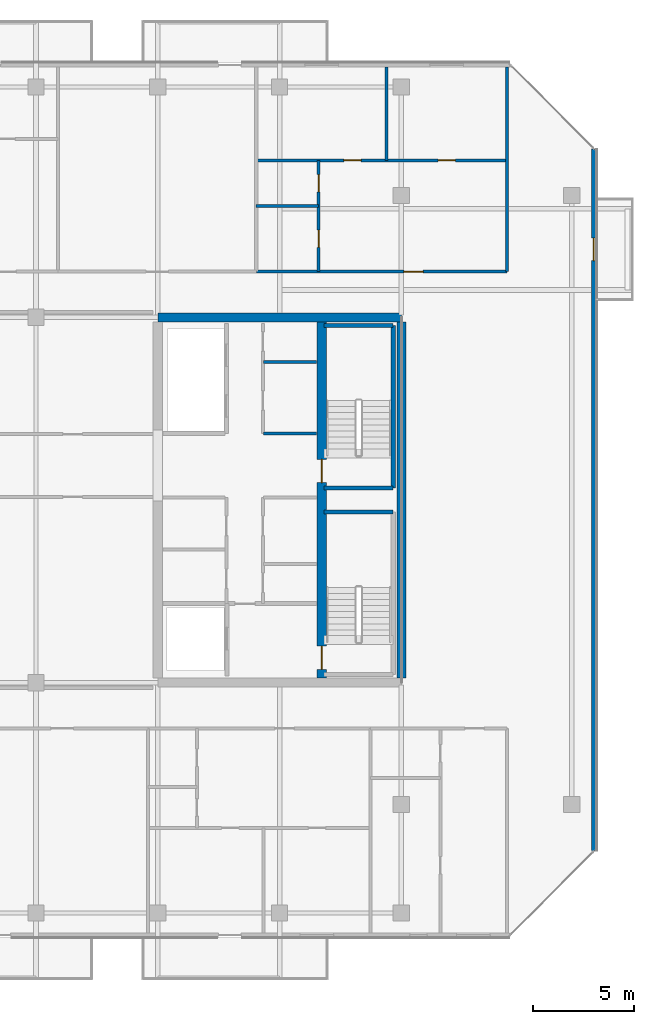
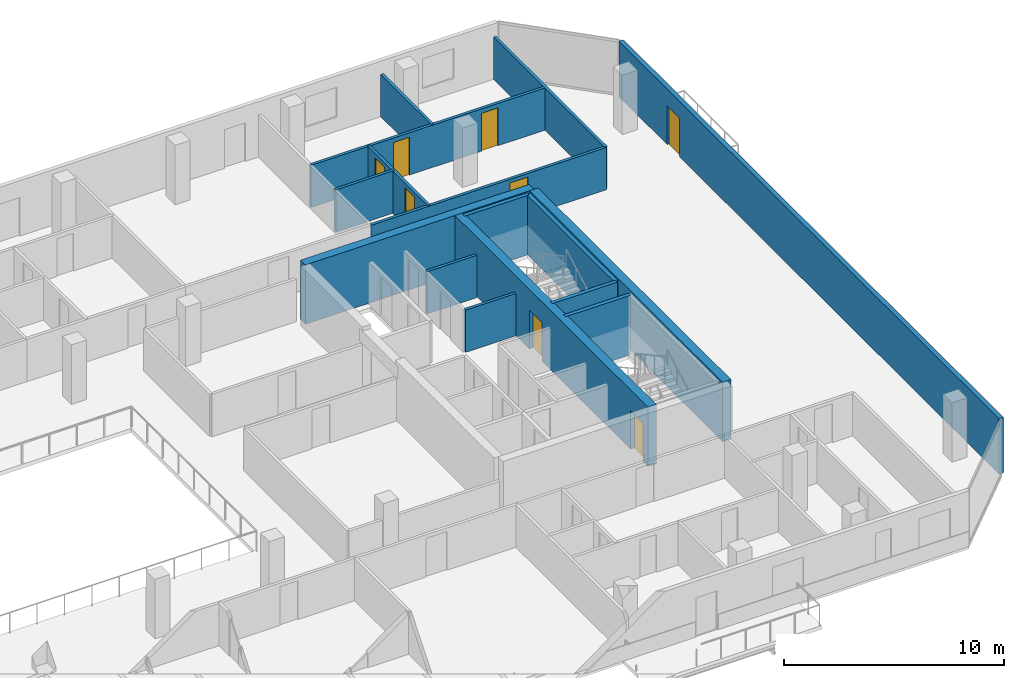
# One storey, part 23 of 28: 16 walls, 8 doors, 8 openings.
"""IFC4 building model written with IfcOpenShell, lengths in metres."""

from ifc_helpers import new_model, si_unit, direction, frame, frame_2d, origin, place, context, subcontext, project, spatial, rectangle, extrude, material, layer, layer_set, type_object, element, fill, save


model = new_model("IFC4")

# Units and contexts
model_context = context("Model", 3, precision=1e-05, world=origin(), true_north=direction((0.0, 1.0)))
body_context = subcontext(model_context, "Body", "Model", "MODEL_VIEW")
ifc_project = project(units=[si_unit("LENGTHUNIT", "METRE"), si_unit("AREAUNIT", "SQUARE_METRE"), si_unit("VOLUMEUNIT", "CUBIC_METRE"), si_unit("PLANEANGLEUNIT", "RADIAN"), si_unit("MASSUNIT", "GRAM", prefix="KILO")], contexts=[model_context])

# Site, building, storey
site_placement = place(None, origin())
site = spatial("IfcSite", under=ifc_project, at=site_placement, CompositionType="ELEMENT")
building_placement = place(site_placement, origin())
building = spatial("IfcBuilding", under=site, at=building_placement, Name="Tanjung Sevakor Pilgrim Tower", CompositionType="ELEMENT")
storey_placement = place(building_placement, frame((0.0, 0.0, 185.1298828125)))
storey = spatial("IfcBuildingStorey", under=building, at=storey_placement, Name="L51", CompositionType="ELEMENT", Elevation=185.1298828125)

# Walls
ifc_material_1 = material(Name="Concrete C60/75", Category="concrete")
ifc_layer_1 = layer(ifc_material_1, 0.449951171875)
ifc_layer_set_1 = layer_set([ifc_layer_1], Name="WALL-CW-450")
wall_type_1 = type_object("IfcWallType", Name="WALL-CW-450", PredefinedType="SHEAR", material=ifc_layer_set_1)
wall_1_placement = place(storey_placement, frame((90.0, 42.60009765625, 0.0), z_axis=(0.0, 0.0, 1.0), x_axis=(-1.0, 0.0, 0.0)))
element("IfcWall", 1, at=wall_1_placement, inside=storey, type_object=wall_type_1, Name="L51 E Core North Shear Wall", PredefinedType="SHEAR", context=body_context, shape_type="SweptSolid", body=[
    extrude(rectangle(XDim=12.0, YDim=0.449951171875, at=frame_2d((6.0, 0.0))), origin(), (0.0, 0.0, 1.0), 3.300048828125),
])
wall_2_placement = place(storey_placement, frame((90.0, 24.824951171875, 0.0), z_axis=(0.0, 0.0, 1.0), x_axis=(0.0, 1.0, 0.0)))
element("IfcWall", 2, at=wall_2_placement, inside=storey, type_object=wall_type_1, Name="L51 E Core Outer Shear Wall", PredefinedType="SHEAR", context=body_context, shape_type="SweptSolid", body=[
    extrude(rectangle(XDim=17.550048828125, YDim=0.449951171875, at=frame_2d((8.77490234375, 0.0))), origin(), (0.0, 0.0, 1.0), 3.300048828125),
])

# Wall, openings, doors
wall_3_placement = place(storey_placement, frame((86.074951171875, 24.824951171875, 0.0), z_axis=(0.0, 0.0, 1.0), x_axis=(0.0, 1.0, 0.0)))
wall_3 = element("IfcWall", 3, at=wall_3_placement, inside=storey, type_object=wall_type_1, Name="L51 E Core Stair Spine Wall", PredefinedType="SHEAR", context=body_context, shape_type="SweptSolid", body=[
    extrude(rectangle(XDim=17.550048828125, YDim=0.449951171875, at=frame_2d((8.77490234375, 0.0))), origin(), (0.0, 0.0, 1.0), 3.300048828125),
])
opening_1_placement = place(wall_3_placement, frame((0.425048828125, 0.0, 0.0)))
opening_1 = element("IfcOpeningElement", 4, at=opening_1_placement, cuts=wall_3, Name="Opening ID-ST1", PredefinedType="OPENING", context=body_context, shape_type="SweptSolid", body=[
    extrude(rectangle(XDim=1.14990234375, YDim=2.14990234375, at=frame_2d((0.574951171875, 1.074951171875))), frame((0.0, 0.23486328125, 0.0), z_axis=(0.0, -1.0, 0.0), x_axis=(1.0, 0.0, 0.0)), (0.0, 0.0, 1.0), 0.469970703125),
])
opening_2_placement = place(wall_3_placement, frame((9.625, 0.0, 0.0)))
opening_2 = element("IfcOpeningElement", 5, at=opening_2_placement, cuts=wall_3, Name="Opening ID-ST1", PredefinedType="OPENING", context=body_context, shape_type="SweptSolid", body=[
    extrude(rectangle(XDim=1.14990234375, YDim=2.14990234375, at=frame_2d((0.574951171875, 1.074951171875))), frame((0.0, 0.23486328125, 0.0), z_axis=(0.0, -1.0, 0.0), x_axis=(1.0, 0.0, 0.0)), (0.0, 0.0, 1.0), 0.469970703125),
])
ifc_material_2 = material(Name="Fire-Rated Steel S355J2", Category="steel")
door_type_1 = type_object("IfcDoorType", Name="DT-FIRE-1150", OperationType="NOTDEFINED", PredefinedType="DOOR", material=ifc_material_2)
door_1_placement = place(opening_1_placement, origin())
door_1 = element("IfcDoor", 6, at=door_1_placement, inside=storey, type_object=door_type_1, Name="L51 TS-E1 Stair Fire Door", OperationType="SINGLE_SWING_LEFT", OverallHeight=2.14990234375, OverallWidth=1.14990234375, PredefinedType="DOOR", context=body_context, shape_type="SweptSolid", body=[
    extrude(rectangle(XDim=1.14990234375, YDim=2.14990234375, at=frame_2d((0.574951171875, 1.074951171875))), frame((0.0, 0.02490234375, 0.0), z_axis=(0.0, -1.0, 0.0), x_axis=(1.0, 0.0, 0.0)), (0.0, 0.0, 1.0), 0.050048828125),
])
fill(opening_1, door_1)
door_2_placement = place(opening_2_placement, origin())
door_2 = element("IfcDoor", 7, at=door_2_placement, inside=storey, type_object=door_type_1, Name="L51 TS-E2 Stair Fire Door", OperationType="SINGLE_SWING_RIGHT", OverallHeight=2.14990234375, OverallWidth=1.14990234375, PredefinedType="DOOR", context=body_context, shape_type="SweptSolid", body=[
    extrude(rectangle(XDim=1.14990234375, YDim=2.14990234375, at=frame_2d((0.574951171875, 1.074951171875))), frame((0.0, 0.02490234375, 0.0), z_axis=(0.0, -1.0, 0.0), x_axis=(1.0, 0.0, 0.0)), (0.0, 0.0, 1.0), 0.050048828125),
])
fill(opening_2, door_2)

# Walls
ifc_material_3 = material(Name="Concrete C40/50", Category="concrete")
ifc_layer_2 = layer(ifc_material_3, 0.14990234375)
ifc_layer_set_2 = layer_set([ifc_layer_2], Name="WT-COMP-150")
wall_type_2 = type_object("IfcWallType", Name="WT-COMP-150", PredefinedType="SOLIDWALL", material=ifc_layer_set_2)
for number, where, z_axis, x_axis, name in (
    (8, (83.199951171875, 36.8798828125, 0.0), (0.0, 0.0, 1.0), (1.0, 0.0, 0.0), "L51 Partition IW-L51-022"),
    (9, (83.199951171875, 40.389892578125, 0.0), (0.0, 0.0, 1.0), (1.0, 0.0, 0.0), "L51 Partition IW-L51-023"),
):
    element("IfcWall", number, at=place(storey_placement, frame(where, z_axis=z_axis, x_axis=x_axis)), inside=storey, type_object=wall_type_2, Name=name, PredefinedType="SOLIDWALL", context=body_context, shape_type="SweptSolid", body=[
        extrude(rectangle(XDim=2.630126953125, YDim=0.14990234375, at=frame_2d((1.31494140625, 0.0))), origin(), (0.0, 0.0, 1.0), 2.35009765625),
    ])
wall_4_placement = place(storey_placement, frame((95.199951171875, 44.85009765625, 0.0), z_axis=(0.0, 0.0, 1.0), x_axis=(0.0, 1.0, 0.0)))
element("IfcWall", 10, at=wall_4_placement, inside=storey, type_object=wall_type_2, Name="L51 Partition IW-L51-085", PredefinedType="SOLIDWALL", context=body_context, shape_type="SweptSolid", body=[
    extrude(rectangle(XDim=10.079833984375, YDim=0.14990234375, at=frame_2d((5.0400390625, 0.0))), origin(), (0.0, 0.0, 1.0), 2.35009765625),
])

# Wall, opening, door
wall_5_placement = place(storey_placement, frame((82.850341796875, 44.85009765625, 0.0), z_axis=(0.0, 0.0, 1.0), x_axis=(1.0, 0.0, 0.0)))
wall_5 = element("IfcWall", 11, at=wall_5_placement, inside=storey, type_object=wall_type_2, Name="L51 Partition IW-L51-103", PredefinedType="SOLIDWALL", context=body_context, shape_type="SweptSolid", body=[
    extrude(rectangle(XDim=12.349609375, YDim=0.14990234375, at=frame_2d((6.1748046875, 0.0))), origin(), (0.0, 0.0, 1.0), 2.35009765625),
])
opening_3_placement = place(wall_5_placement, frame((7.274658203125, 0.0, 0.0)))
opening_3 = element("IfcOpeningElement", 12, at=opening_3_placement, cuts=wall_5, Name="Opening ID-FD2", PredefinedType="OPENING", context=body_context, shape_type="SweptSolid", body=[
    extrude(rectangle(XDim=0.949951171875, YDim=2.14990234375, at=frame_2d((0.47509765625, 1.074951171875))), frame((0.0, 0.0849609375, 0.0), z_axis=(0.0, -1.0, 0.0), x_axis=(1.0, 0.0, 0.0)), (0.0, 0.0, 1.0), 0.169921875),
])
ifc_material_4 = material(Name="Fire-Rated Timber", Category="wood")
door_type_2 = type_object("IfcDoorType", Name="DT-FIRE-950", OperationType="NOTDEFINED", PredefinedType="DOOR", material=ifc_material_4)
door_3_placement = place(opening_3_placement, origin())
door_3 = element("IfcDoor", 13, at=door_3_placement, inside=storey, type_object=door_type_2, Name="Suite Entrance", OperationType="SINGLE_SWING_RIGHT", OverallHeight=2.14990234375, OverallWidth=0.949951171875, PredefinedType="DOOR", context=body_context, shape_type="SweptSolid", body=[
    extrude(rectangle(XDim=0.949951171875, YDim=2.14990234375, at=frame_2d((0.47509765625, 1.074951171875))), frame((0.0, 0.02490234375, 0.0), z_axis=(0.0, -1.0, 0.0), x_axis=(1.0, 0.0, 0.0)), (0.0, 0.0, 1.0), 0.050048828125),
])
fill(opening_3, door_3)

ifc_material_5 = material(Name="Precast concrete C45/55", Category="concrete")
ifc_layer_3 = layer(ifc_material_5, 0.219970703125)
ifc_layer_set_3 = layer_set([ifc_layer_3], Name="WT-EW-STN4")
wall_type_3 = type_object("IfcWallType", Name="WT-EW-STN4", PredefinedType="SOLIDWALL", material=ifc_layer_set_3)
wall_6_placement = place(storey_placement, frame((99.489990234375, 16.295654296875, 0.0), z_axis=(0.0, 0.0, 1.0), x_axis=(0.0, 1.0, 0.0)))
wall_6 = element("IfcWall", 14, at=wall_6_placement, inside=storey, type_object=wall_type_3, Name="L51 MAIN Exterior Wall 7", PredefinedType="SOLIDWALL", context=body_context, shape_type="SweptSolid", body=[
    extrude(rectangle(XDim=34.608642578125, YDim=0.219970703125, at=frame_2d((17.30419921875, 0.0))), origin(), (0.0, 0.0, 1.0), 3.080078125),
])
opening_4_placement = place(wall_6_placement, frame((29.1044921875, 0.0, 0.0)))
opening_4 = element("IfcOpeningElement", 15, at=opening_4_placement, cuts=wall_6, Name="Opening ED-BAL-1100", PredefinedType="OPENING", context=body_context, shape_type="SweptSolid", body=[
    extrude(rectangle(XDim=1.10009765625, YDim=2.14990234375, at=frame_2d((0.550048828125, 1.074951171875))), frame((0.0, 0.119873046875, 0.0), z_axis=(0.0, -1.0, 0.0), x_axis=(1.0, 0.0, 0.0)), (0.0, 0.0, 1.0), 0.239990234375),
])
ifc_material_6 = material(Name="Anodised Aluminium and Laminated Glass", Category="aluminium")
door_type_3 = type_object("IfcDoorType", Name="DTYP-ED-BAL-1100", OperationType="NOTDEFINED", PredefinedType="DOOR", material=ifc_material_6)
door_4_placement = place(opening_4_placement, frame((1.10009765625, 0.0, 0.0), z_axis=(0.0, 0.0, 1.0), x_axis=(-1.0, 0.0, 0.0)))
door_4 = element("IfcDoor", 16, at=door_4_placement, inside=storey, type_object=door_type_3, Name="L51 East Loggia Door MAIN-E1", OperationType="SINGLE_SWING_LEFT", OverallHeight=2.14990234375, OverallWidth=1.10009765625, PredefinedType="DOOR", context=body_context, shape_type="SweptSolid", body=[
    extrude(rectangle(XDim=1.10009765625, YDim=2.14990234375, at=frame_2d((0.550048828125, 1.074951171875))), frame((0.0, 0.02490234375, 0.0), z_axis=(0.0, -1.0, 0.0), x_axis=(1.0, 0.0, 0.0)), (0.0, 0.0, 1.0), 0.050048828125),
])
fill(opening_4, door_4)

# Walls
ifc_material_7 = material(Name="Concrete C40/50", Category="concrete")
ifc_layer_4 = layer(ifc_material_7, 0.199951171875)
ifc_layer_set_4 = layer_set([ifc_layer_4], Name="WT-FIRE-200")
wall_type_4 = type_object("IfcWallType", Name="WT-FIRE-200", PredefinedType="SOLIDWALL", material=ifc_layer_set_4)
for number, where, z_axis, x_axis, name in (
    (17, (89.60009765625, 33.0, 0.0), (0.0, 0.0, 1.0), (-1.0, 0.0, 0.0), "L51 TS-E1 Shaft Wall 3"),
    (18, (86.199951171875, 34.199951171875, 0.0), (0.0, 0.0, 1.0), (1.0, 0.0, 0.0), "L51 TS-E2 Shaft Wall 1"),
):
    element("IfcWall", number, at=place(storey_placement, frame(where, z_axis=z_axis, x_axis=x_axis)), inside=storey, type_object=wall_type_4, Name=name, PredefinedType="SOLIDWALL", context=body_context, shape_type="SweptSolid", body=[
        extrude(rectangle(XDim=3.400146484375, YDim=0.199951171875, at=frame_2d((1.7001953125, 0.0))), origin(), (0.0, 0.0, 1.0), 3.300048828125),
    ])
wall_7_placement = place(storey_placement, frame((89.60009765625, 34.199951171875, 0.0), z_axis=(0.0, 0.0, 1.0), x_axis=(0.0, 1.0, 0.0)))
element("IfcWall", 19, at=wall_7_placement, inside=storey, type_object=wall_type_4, Name="L51 TS-E2 Shaft Wall 2", PredefinedType="SOLIDWALL", context=body_context, shape_type="SweptSolid", body=[
    extrude(rectangle(XDim=8.0, YDim=0.199951171875, at=frame_2d((4.0, 0.0))), origin(), (0.0, 0.0, 1.0), 3.300048828125),
])
wall_8_placement = place(storey_placement, frame((89.60009765625, 42.199951171875, 0.0), z_axis=(0.0, 0.0, 1.0), x_axis=(-1.0, 0.0, 0.0)))
element("IfcWall", 20, at=wall_8_placement, inside=storey, type_object=wall_type_4, Name="L51 TS-E2 Shaft Wall 3", PredefinedType="SOLIDWALL", context=body_context, shape_type="SweptSolid", body=[
    extrude(rectangle(XDim=3.400146484375, YDim=0.199951171875, at=frame_2d((1.7001953125, 0.0))), origin(), (0.0, 0.0, 1.0), 3.300048828125),
])
ifc_material_8 = material(Name="Gypsum Board Partition", Category="gypsum board")
ifc_layer_5 = layer(ifc_material_8, 0.14990234375)
ifc_layer_set_5 = layer_set([ifc_layer_5], Name="WT-PART-150")
wall_type_5 = type_object("IfcWallType", Name="WT-PART-150", PredefinedType="PARTITIONING", material=ifc_layer_set_5)
wall_9_placement = place(storey_placement, frame((82.850341796875, 48.0869140625, 0.0), z_axis=(0.0, 0.0, 1.0), x_axis=(1.0, 0.0, 0.0)))
element("IfcWall", 21, at=wall_9_placement, inside=storey, type_object=wall_type_5, Name="L51 Partition IW-L51-099", PredefinedType="PARTITIONING", context=body_context, shape_type="SweptSolid", body=[
    extrude(rectangle(XDim=3.069580078125, YDim=0.14990234375, at=frame_2d((1.53466796875, 0.0))), origin(), (0.0, 0.0, 1.0), 2.35009765625),
])

# Wall, openings, doors
wall_10_placement = place(storey_placement, frame((85.919921875, 44.85009765625, 0.0), z_axis=(0.0, 0.0, 1.0), x_axis=(0.0, 1.0, 0.0)))
wall_10 = element("IfcWall", 22, at=wall_10_placement, inside=storey, type_object=wall_type_5, Name="L51 Partition IW-L51-100", PredefinedType="PARTITIONING", context=body_context, shape_type="SweptSolid", body=[
    extrude(rectangle(XDim=5.486083984375, YDim=0.14990234375, at=frame_2d((2.7431640625, 0.0))), origin(), (0.0, 0.0, 1.0), 2.35009765625),
])
opening_5_placement = place(wall_10_placement, frame((1.193359375, 0.0, 0.0)))
opening_5 = element("IfcOpeningElement", 23, at=opening_5_placement, cuts=wall_10, Name="Opening ID-WC1", PredefinedType="OPENING", context=body_context, shape_type="SweptSolid", body=[
    extrude(rectangle(XDim=0.85009765625, YDim=2.10009765625, at=frame_2d((0.425048828125, 1.050048828125))), frame((0.0, 0.0849609375, 0.0), z_axis=(0.0, -1.0, 0.0), x_axis=(1.0, 0.0, 0.0)), (0.0, 0.0, 1.0), 0.169921875),
])
opening_6_placement = place(wall_10_placement, frame((3.9365234375, 0.0, 0.0)))
opening_6 = element("IfcOpeningElement", 24, at=opening_6_placement, cuts=wall_10, Name="Opening ID-WC1", PredefinedType="OPENING", context=body_context, shape_type="SweptSolid", body=[
    extrude(rectangle(XDim=0.85009765625, YDim=2.10009765625, at=frame_2d((0.425048828125, 1.050048828125))), frame((0.0, 0.0849609375, 0.0), z_axis=(0.0, -1.0, 0.0), x_axis=(1.0, 0.0, 0.0)), (0.0, 0.0, 1.0), 0.169921875),
])
ifc_material_9 = material(Name="Moisture-Resistant Timber", Category="wood")
door_type_4 = type_object("IfcDoorType", Name="DT-INT-850", OperationType="NOTDEFINED", PredefinedType="DOOR", material=ifc_material_9)
door_5_placement = place(opening_5_placement, origin())
door_5 = element("IfcDoor", 25, at=door_5_placement, inside=storey, type_object=door_type_4, Name="Suite Kitchenette Door", OperationType="SINGLE_SWING_RIGHT", OverallHeight=2.10009765625, OverallWidth=0.85009765625, PredefinedType="DOOR", context=body_context, shape_type="SweptSolid", body=[
    extrude(rectangle(XDim=0.85009765625, YDim=2.10009765625, at=frame_2d((0.425048828125, 1.050048828125))), frame((0.0, 0.02490234375, 0.0), z_axis=(0.0, -1.0, 0.0), x_axis=(1.0, 0.0, 0.0)), (0.0, 0.0, 1.0), 0.050048828125),
])
fill(opening_5, door_5)
door_6_placement = place(opening_6_placement, origin())
door_6 = element("IfcDoor", 26, at=door_6_placement, inside=storey, type_object=door_type_4, Name="Suite Bathroom Door", OperationType="SINGLE_SWING_LEFT", OverallHeight=2.10009765625, OverallWidth=0.85009765625, PredefinedType="DOOR", context=body_context, shape_type="SweptSolid", body=[
    extrude(rectangle(XDim=0.85009765625, YDim=2.10009765625, at=frame_2d((0.425048828125, 1.050048828125))), frame((0.0, 0.02490234375, 0.0), z_axis=(0.0, -1.0, 0.0), x_axis=(1.0, 0.0, 0.0)), (0.0, 0.0, 1.0), 0.050048828125),
])
fill(opening_6, door_6)

# Wall
wall_11_placement = place(storey_placement, frame((89.272216796875, 50.336181640625, 0.0), z_axis=(0.0, 0.0, 1.0), x_axis=(0.0, 1.0, 0.0)))
element("IfcWall", 27, at=wall_11_placement, inside=storey, type_object=wall_type_5, Name="L51 Partition IW-L51-101", PredefinedType="PARTITIONING", context=body_context, shape_type="SweptSolid", body=[
    extrude(rectangle(XDim=4.59375, YDim=0.14990234375, at=frame_2d((2.296875, 0.0))), origin(), (0.0, 0.0, 1.0), 2.35009765625),
])

# Wall, openings, doors
wall_12_placement = place(storey_placement, frame((82.850341796875, 50.336181640625, 0.0), z_axis=(0.0, 0.0, 1.0), x_axis=(1.0, 0.0, 0.0)))
wall_12 = element("IfcWall", 28, at=wall_12_placement, inside=storey, type_object=wall_type_5, Name="L51 Partition IW-L51-102", PredefinedType="PARTITIONING", context=body_context, shape_type="SweptSolid", body=[
    extrude(rectangle(XDim=12.349609375, YDim=0.14990234375, at=frame_2d((6.1748046875, 0.0))), origin(), (0.0, 0.0, 1.0), 2.35009765625),
])
opening_7_placement = place(wall_12_placement, frame((4.32080078125, 0.0, 0.0)))
opening_7 = element("IfcOpeningElement", 29, at=opening_7_placement, cuts=wall_12, Name="Opening ID-WC1", PredefinedType="OPENING", context=body_context, shape_type="SweptSolid", body=[
    extrude(rectangle(XDim=0.85009765625, YDim=2.10009765625, at=frame_2d((0.425048828125, 1.050048828125))), frame((0.0, 0.0849609375, 0.0), z_axis=(0.0, -1.0, 0.0), x_axis=(1.0, 0.0, 0.0)), (0.0, 0.0, 1.0), 0.169921875),
])
opening_8_placement = place(wall_12_placement, frame((8.960693359375, 0.0, 0.0)))
opening_8 = element("IfcOpeningElement", 30, at=opening_8_placement, cuts=wall_12, Name="Opening ID-WC1", PredefinedType="OPENING", context=body_context, shape_type="SweptSolid", body=[
    extrude(rectangle(XDim=0.85009765625, YDim=2.10009765625, at=frame_2d((0.425048828125, 1.050048828125))), frame((0.0, 0.0849609375, 0.0), z_axis=(0.0, -1.0, 0.0), x_axis=(1.0, 0.0, 0.0)), (0.0, 0.0, 1.0), 0.169921875),
])
door_7_placement = place(opening_7_placement, origin())
door_7 = element("IfcDoor", 31, at=door_7_placement, inside=storey, type_object=door_type_4, Name="Suite Bedroom 1 Door", OperationType="SINGLE_SWING_RIGHT", OverallHeight=2.10009765625, OverallWidth=0.85009765625, PredefinedType="DOOR", context=body_context, shape_type="SweptSolid", body=[
    extrude(rectangle(XDim=0.85009765625, YDim=2.10009765625, at=frame_2d((0.425048828125, 1.050048828125))), frame((0.0, 0.02490234375, 0.0), z_axis=(0.0, -1.0, 0.0), x_axis=(1.0, 0.0, 0.0)), (0.0, 0.0, 1.0), 0.050048828125),
])
fill(opening_7, door_7)
door_8_placement = place(opening_8_placement, origin())
door_8 = element("IfcDoor", 32, at=door_8_placement, inside=storey, type_object=door_type_4, Name="Suite Bedroom 2 Door", OperationType="SINGLE_SWING_LEFT", OverallHeight=2.10009765625, OverallWidth=0.85009765625, PredefinedType="DOOR", context=body_context, shape_type="SweptSolid", body=[
    extrude(rectangle(XDim=0.85009765625, YDim=2.10009765625, at=frame_2d((0.425048828125, 1.050048828125))), frame((0.0, 0.02490234375, 0.0), z_axis=(0.0, -1.0, 0.0), x_axis=(1.0, 0.0, 0.0)), (0.0, 0.0, 1.0), 0.050048828125),
])
fill(opening_8, door_8)

save(model, "model.ifc")
